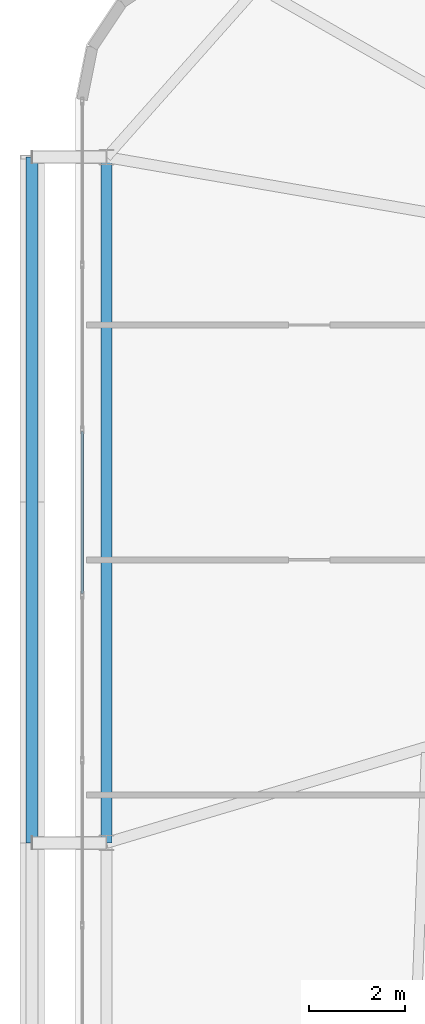
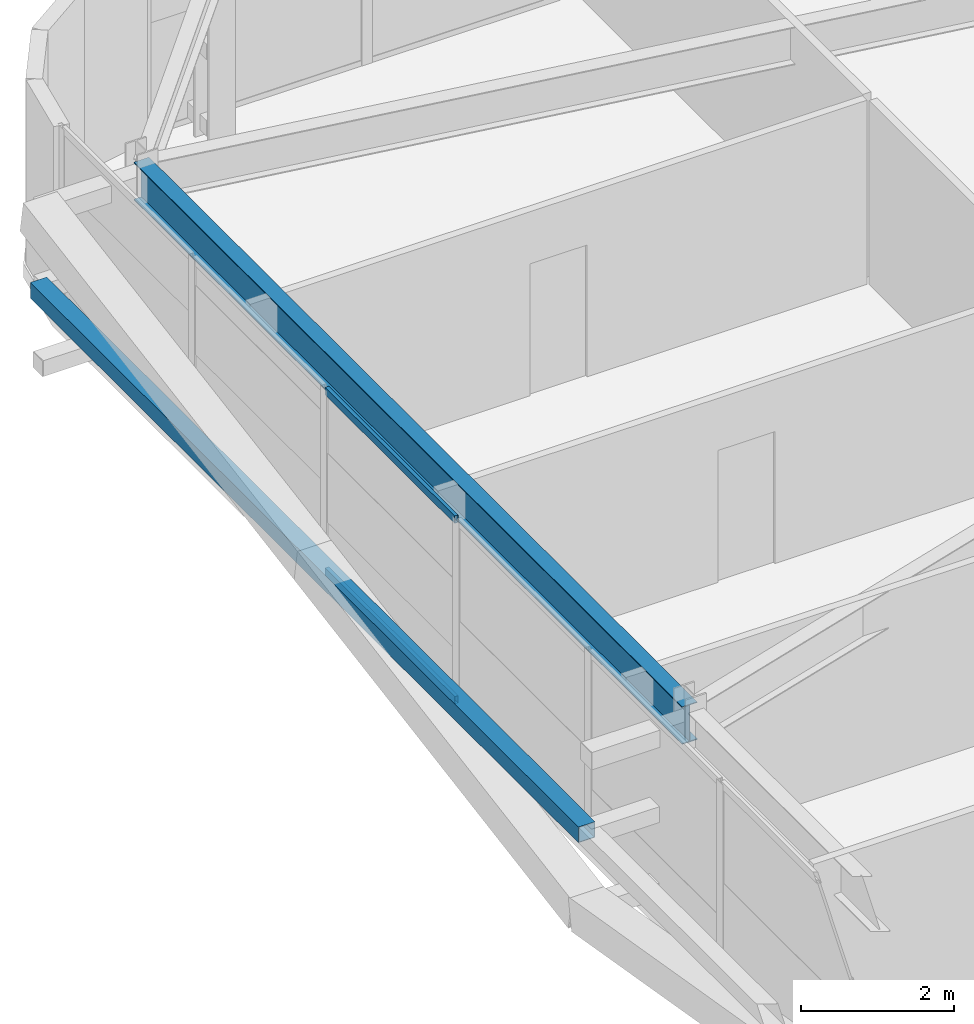
# One storey, part 17 of 58: 3 members, 1 beam, 1 element without a shape of its own.
"""IFC4 building model written with IfcOpenShell, lengths in metres."""

from ifc_helpers import new_model, si_unit, direction, frame, origin, origin_2d, place, context, subcontext, project, spatial, hollow_rectangle, i_section, extrude, source, transform, mapped, material, layer, layer_set, material_profile, profile_set, type_object, element, aggregate, save


model = new_model("IFC4")

# Units and contexts
model_context = context("Model", 3, precision=1e-05, world=origin(), true_north=direction((0.0, 1.0)))
body_context = subcontext(model_context, "Body", "Model", "MODEL_VIEW")
ifc_project = project(units=[si_unit("LENGTHUNIT", "METRE"), si_unit("AREAUNIT", "SQUARE_METRE"), si_unit("VOLUMEUNIT", "CUBIC_METRE"), si_unit("PLANEANGLEUNIT", "RADIAN"), si_unit("MASSUNIT", "GRAM", prefix="KILO")], contexts=[model_context])

# Site, building, storey
site_placement = place(None, origin())
site = spatial("IfcSite", under=ifc_project, at=site_placement, CompositionType="ELEMENT")
building_placement = place(site_placement, origin())
building = spatial("IfcBuilding", under=site, at=building_placement, Name="Taldren Reach Tower", CompositionType="ELEMENT")
storey_placement = place(building_placement, frame((0.0, 0.0, 32.550048828125)))
storey = spatial("IfcBuildingStorey", under=building, at=storey_placement, Name="L09", CompositionType="ELEMENT", Elevation=32.550048828125)

# Beam
ifc_material_1 = material(Name="Steel Gr 350 (350PLUS)", Category="steel")
ifc_material_profile_1 = material_profile(ifc_material_1, i_section(OverallWidth=0.22802734375, OverallDepth=0.60205078125, WebThickness=0.010498046875, FlangeThickness=0.014892578125, at=origin_2d()), Name="610UB101")
ifc_profile_set_1 = profile_set([ifc_material_profile_1], Name="Steel Gr 350 (350PLUS)")
beam_type = type_object("IfcBeamType", Name="BM-UB610B", PredefinedType="BEAM", material=ifc_profile_set_1)
shared_shape_1 = source(origin(), body_context, "Body", "SweptSolid", [
    extrude(i_section(OverallWidth=0.22802734375, OverallDepth=0.60205078125, WebThickness=0.010498046875, FlangeThickness=0.014892578125, at=origin_2d()), origin(), (0.0, 0.0, 1.0), 14.300048828125),
])
beam_placement = place(storey_placement, frame((5.64990234375, 34.300048828125, 2.62890625), z_axis=(0.0, -1.0, 0.0), x_axis=(1.0, 0.0, 0.0)))
element("IfcBeam", 1, at=beam_placement, inside=storey, type_object=beam_type, Name="Perimeter gable girder B1 W3-W2 L09", PredefinedType="BEAM", context=body_context, shape_type="MappedRepresentation", body=[
    mapped(shared_shape_1, transform((0.0, 0.0, 0.0), scale=1.0)),
])

# Member
ifc_material_2 = material(Name="Steel Gr 350 (C350L0)", Category="steel")
ifc_material_profile_2 = material_profile(ifc_material_2, hollow_rectangle(XDim=0.25, YDim=0.25, WallThickness=0.010009765625, at=origin_2d()), Name="250x250x10.0SHS")
ifc_profile_set_2 = profile_set([ifc_material_profile_2], Name="Steel Gr 350 (C350L0)")
member_type_1 = type_object("IfcMemberType", Name="MB-POST250", PredefinedType="POST", material=ifc_profile_set_2)
shared_shape_2 = source(origin(), body_context, "Body", "SweptSolid", [
    extrude(hollow_rectangle(XDim=0.25, YDim=0.25, WallThickness=0.010009765625, at=origin_2d()), origin(), (0.0, 0.0, 1.0), 14.300048828125),
])
member_1_placement = place(storey_placement, frame((4.10009765625, 20.0, 1.43505859375), z_axis=(0.0, 1.0, 0.0), x_axis=(-1.0, 0.0, 0.0)))
element("IfcMember", 2, at=member_1_placement, inside=storey, type_object=member_type_1, Name="Exoskeleton mid-height ring chord B1-W2 L09", PredefinedType="POST", context=body_context, shape_type="MappedRepresentation", body=[
    mapped(shared_shape_2, transform((0.0, 0.0, 0.0), scale=1.0)),
])

# Curtain wall, members
ifc_material_3 = material(Name="Aluminium and Low-E Glass Unitised System", Category="aluminium")
ifc_layer = layer(ifc_material_3, 0.159912109375)
ifc_layer_set = layer_set([ifc_layer], Name="Aluminium and Low-E Glass Unitised System")
curtain_wall_type = type_object("IfcCurtainWallType", Name="CW-SYS-2", PredefinedType="NOTDEFINED", material=ifc_layer_set)
curtain_wall_placement = place(storey_placement, origin())
curtain_wall = element("IfcCurtainWall", 3, at=curtain_wall_placement, inside=storey, type_object=curtain_wall_type, Name="Unitised curtain wall CW-L09-W", PredefinedType="NOTDEFINED")
ifc_material_4 = material(Name="Anodised Aluminium 6063-T6", Category="aluminium")
ifc_material_profile_3 = material_profile(ifc_material_4, hollow_rectangle(XDim=0.054931640625, YDim=0.1201171875, WallThickness=0.0029296875, at=origin_2d()), Name="ALU-120x55x3RHS")
ifc_profile_set_3 = profile_set([ifc_material_profile_3], Name="Anodised Aluminium 6063-T6")
member_type_2 = type_object("IfcMemberType", Name="CW-TRN-135", PredefinedType="USERDEFINED", material=ifc_profile_set_3)
shared_shape_3 = source(origin(), body_context, "Body", "SweptSolid", [
    extrude(hollow_rectangle(XDim=0.054931640625, YDim=0.1201171875, WallThickness=0.0029296875, at=origin_2d()), origin(), (0.0, 0.0, 1.0), 3.37939453125),
])
member_2_placement = place(storey_placement, frame((5.139892578125, 28.57861328125, 0.02734375), z_axis=(0.0, -1.0, 0.0), x_axis=(1.0, 0.0, 0.0)))
member_2 = element("IfcMember", 4, at=member_2_placement, type_object=member_type_2, Name="CW-2 transom 3.1", ObjectType="TRANSOM", PredefinedType="USERDEFINED", context=body_context, shape_type="MappedRepresentation", body=[
    mapped(shared_shape_3, transform((0.0, 0.0, 0.0), scale=1.0)),
])
member_3_placement = place(storey_placement, frame((5.139892578125, 28.57861328125, 2.90234375), z_axis=(0.0, -1.0, 0.0), x_axis=(1.0, 0.0, 0.0)))
member_3 = element("IfcMember", 5, at=member_3_placement, type_object=member_type_2, Name="CW-2 transom 3.2", ObjectType="TRANSOM", PredefinedType="USERDEFINED", context=body_context, shape_type="MappedRepresentation", body=[
    mapped(shared_shape_3, transform((0.0, 0.0, 0.0), scale=1.0)),
])
aggregate(curtain_wall, [member_2, member_3])

save(model, "model.ifc")
